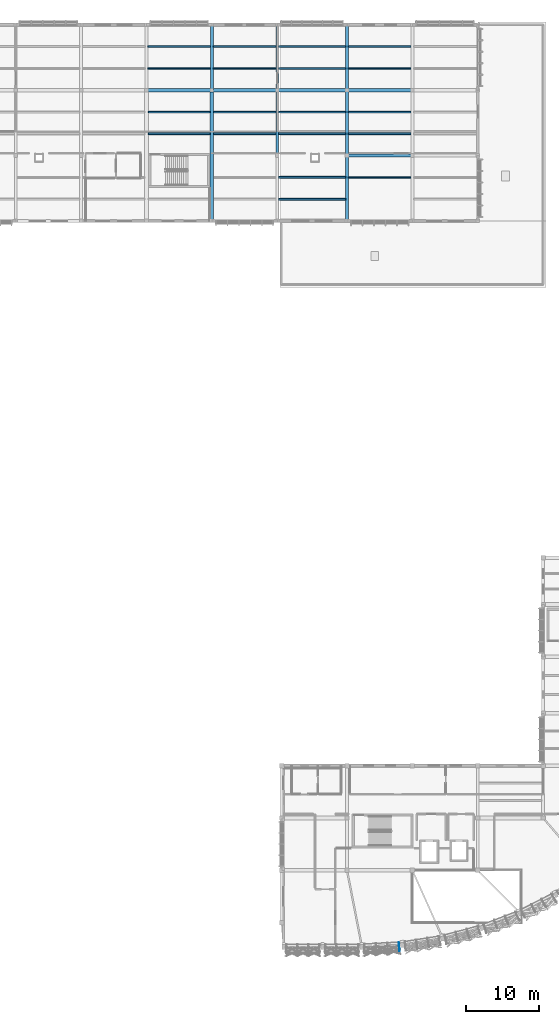
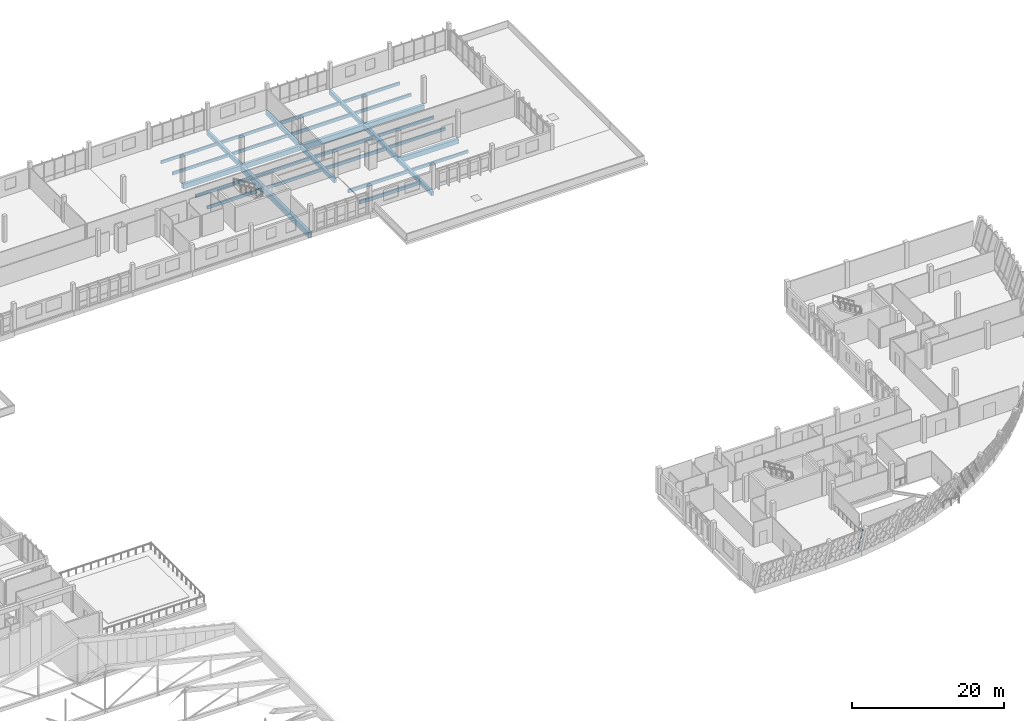
# One storey, part 46 of 107: 31 beams, 1 member, 1 element without a shape of its own.
"""IFC4 building model written with IfcOpenShell, lengths in metres."""

from ifc_helpers import new_model, si_unit, direction, frame, origin, origin_2d, place, context, subcontext, project, spatial, rectangle, hollow_rectangle, extrude, material, material_profile, profile_set, type_object, element, aggregate, save


model = new_model("IFC4")

# Units and contexts
model_context = context("Model", 3, precision=1e-05, world=origin(), true_north=direction((0.0, 1.0)))
body_context = subcontext(model_context, "Body", "Model", "MODEL_VIEW")
ifc_project = project(units=[si_unit("LENGTHUNIT", "METRE"), si_unit("AREAUNIT", "SQUARE_METRE"), si_unit("VOLUMEUNIT", "CUBIC_METRE"), si_unit("PLANEANGLEUNIT", "RADIAN"), si_unit("MASSUNIT", "GRAM", prefix="KILO")], contexts=[model_context])

# Site, building, storey
site_placement = place(None, origin())
site = spatial("IfcSite", under=ifc_project, at=site_placement, CompositionType="ELEMENT")
building_placement = place(site_placement, origin())
building = spatial("IfcBuilding", under=site, at=building_placement, Name="Chiffa Square Polytechnic", CompositionType="ELEMENT")
storey_placement = place(building_placement, frame((0.0, 0.0, 13.800048828125)))
storey = spatial("IfcBuildingStorey", under=building, at=storey_placement, Name="L03", CompositionType="ELEMENT", Elevation=13.800048828125)

# Beams
ifc_material_1 = material(Name="Concrete C35/45", Category="concrete")
ifc_material_profile_1 = material_profile(ifc_material_1, rectangle(XDim=0.39990234375, YDim=0.64990234375, at=origin_2d()), Name="RC 400x650")
ifc_profile_set_1 = profile_set([ifc_material_profile_1], Name="Concrete C35/45")
beam_type_1 = type_object("IfcBeamType", Name="BM-RC-400X650", PredefinedType="BEAM", material=ifc_profile_set_1)
for number, where, z_axis, x_axis, name in (
    (1, (102.60009765625, 121.800048828125, -0.5849609375), (0.0, 1.0, 0.0), (-1.0, 0.0, 0.0), "Primary floor girder BM-V5-L03-Y-1026-1218"),
    (2, (111.60009765625, 112.800048828125, -0.5849609375), (0.0, 1.0, 0.0), (-1.0, 0.0, 0.0), "Primary floor girder BM-V5-L03-Y-1116-1128"),
    (3, (111.60009765625, 121.800048828125, -0.5849609375), (0.0, 1.0, 0.0), (-1.0, 0.0, 0.0), "Primary floor girder BM-V5-L03-Y-1116-1218"),
    (4, (121.199951171875, 103.800048828125, -0.5849609375), (0.0, 1.0, 0.0), (-1.0, 0.0, 0.0), "Primary floor girder BM-V5-L03-Y-1212-1038"),
    (5, (121.199951171875, 112.800048828125, -0.5849609375), (0.0, 1.0, 0.0), (-1.0, 0.0, 0.0), "Primary floor girder BM-V5-L03-Y-1212-1128"),
    (6, (121.199951171875, 121.800048828125, -0.5849609375), (0.0, 1.0, 0.0), (-1.0, 0.0, 0.0), "Primary floor girder BM-V5-L03-Y-1212-1218"),
):
    element("IfcBeam", number, at=place(storey_placement, frame(where, z_axis=z_axis, x_axis=x_axis)), inside=storey, type_object=beam_type_1, Name=name, PredefinedType="BEAM", context=body_context, shape_type="SweptSolid", body=[
        extrude(rectangle(XDim=0.39990234375, YDim=0.64990234375, at=origin_2d()), origin(), (0.0, 0.0, 1.0), 9.0),
    ])
ifc_material_profile_2 = material_profile(ifc_material_1, rectangle(XDim=0.449951171875, YDim=0.75, at=origin_2d()), Name="RC 450x750")
ifc_profile_set_2 = profile_set([ifc_material_profile_2], Name="Concrete C35/45")
beam_type_2 = type_object("IfcBeamType", Name="BM-RC-450X750", PredefinedType="BEAM", material=ifc_profile_set_2)
for number, where, z_axis, x_axis, name in (
    (7, (121.199951171875, 112.800048828125, -0.635009765625), (1.0, 0.0, 0.0), (0.0, 1.0, 0.0), "Primary floor girder BM-V5-L03-X-1212-1128"),
    (8, (93.60009765625, 121.800048828125, -0.635009765625), (1.0, 0.0, 0.0), (0.0, 1.0, 0.0), "Primary floor girder BM-V5-L03-X-0936-1218"),
    (9, (102.60009765625, 121.800048828125, -0.635009765625), (1.0, 0.0, 0.0), (0.0, 1.0, 0.0), "Primary floor girder BM-V5-L03-X-1026-1218"),
    (10, (121.199951171875, 121.800048828125, -0.635009765625), (1.0, 0.0, 0.0), (0.0, 1.0, 0.0), "Primary floor girder BM-V5-L03-X-1212-1218"),
):
    element("IfcBeam", number, at=place(storey_placement, frame(where, z_axis=z_axis, x_axis=x_axis)), inside=storey, type_object=beam_type_2, Name=name, PredefinedType="BEAM", context=body_context, shape_type="SweptSolid", body=[
        extrude(rectangle(XDim=0.449951171875, YDim=0.75, at=origin_2d()), origin(), (0.0, 0.0, 1.0), 9.0),
    ])
ifc_material_2 = material(Name="Concrete C40/50", Category="concrete")
ifc_material_profile_3 = material_profile(ifc_material_2, rectangle(XDim=0.5, YDim=0.89990234375, at=origin_2d()), Name="RC 500x900")
ifc_profile_set_3 = profile_set([ifc_material_profile_3], Name="Concrete C40/50")
beam_type_3 = type_object("IfcBeamType", Name="BM-RC-500X900", PredefinedType="BEAM", material=ifc_profile_set_3)
beam_1_placement = place(storey_placement, frame((111.60009765625, 121.800048828125, -0.7099609375), z_axis=(1.0, 0.0, 0.0), x_axis=(0.0, 1.0, 0.0)))
element("IfcBeam", 11, at=beam_1_placement, inside=storey, type_object=beam_type_3, Name="Primary floor girder BM-V5-L03-X-1116-1218", PredefinedType="BEAM", context=body_context, shape_type="SweptSolid", body=[
    extrude(rectangle(XDim=0.5, YDim=0.89990234375, at=origin_2d()), origin(), (0.0, 0.0, 1.0), 9.599853515625),
])
beam_2_placement = place(storey_placement, frame((102.60009765625, 103.800048828125, -0.7099609375), z_axis=(0.0, 1.0, 0.0), x_axis=(-1.0, 0.0, 0.0)))
element("IfcBeam", 12, at=beam_2_placement, inside=storey, type_object=beam_type_3, Name="Primary floor girder BM-V5-L03-Y-1026-1038", PredefinedType="BEAM", context=body_context, shape_type="SweptSolid", body=[
    extrude(rectangle(XDim=0.5, YDim=0.89990234375, at=origin_2d()), origin(), (0.0, 0.0, 1.0), 18.0),
])

# Curtain wall, member
ifc_material_3 = material(Name="Aluminium EN AW-6060 T66 and glulam shading", Category="wood")
curtain_wall_type = type_object("IfcCurtainWallType", Name="CW-PROW-LEAN-150", PredefinedType="USERDEFINED", material=ifc_material_3)
curtain_wall_placement = place(storey_placement, origin())
curtain_wall = element("IfcCurtainWall", 13, at=curtain_wall_placement, inside=storey, type_object=curtain_wall_type, Name="Outward-leaning diamond-fin prow curtain wall CW-V1-L03-046", ObjectType="CURTAIN WALL", PredefinedType="USERDEFINED")
ifc_material_4 = material(Name="Aluminium EN AW-6060 T66", Category="aluminium")
ifc_material_profile_4 = material_profile(ifc_material_4, hollow_rectangle(XDim=0.06494140625, YDim=0.179931640625, WallThickness=0.00390625, at=origin_2d()), Name="ALU 65x180x4")
ifc_profile_set_4 = profile_set([ifc_material_profile_4], Name="Aluminium EN AW-6060 T66")
member_type = type_object("IfcMemberType", Name="CWM-ALU-75X180", PredefinedType="MULLION", material=ifc_profile_set_4)
member_placement = place(storey_placement, frame((128.3310546875, 4.430908203125, 0.0), z_axis=(0.028414651045, -0.270917977705, 0.96218296439), x_axis=(0.994544759726, 0.10431069409, 0.0)))
member = element("IfcMember", 14, at=member_placement, type_object=member_type, Name="Leaning prow mullion CW-V1-L03-046-M03", PredefinedType="MULLION", context=body_context, shape_type="SweptSolid", body=[
    extrude(hollow_rectangle(XDim=0.06494140625, YDim=0.179931640625, WallThickness=0.00390625, at=origin_2d()), origin(), (0.0, 0.0, 1.0), 4.11572265625),
])
aggregate(curtain_wall, [member])

# Beams
ifc_material_5 = material(Name="Glulam GL28h", Category="wood")
ifc_material_profile_5 = material_profile(ifc_material_5, rectangle(XDim=0.219970703125, YDim=0.47998046875, at=origin_2d()), Name="GL28h 220x480")
ifc_profile_set_5 = profile_set([ifc_material_profile_5], Name="Glulam GL28h")
beam_type_4 = type_object("IfcBeamType", Name="JST-GL-220X480", PredefinedType="JOIST", material=ifc_profile_set_5)
for number, where, z_axis, x_axis, name in (
    (15, (93.847900390625, 115.800048828125, -0.5), (1.0, 0.0, 0.0), (0.0, 1.0, 0.0), "Secondary floor joist JST-V5-L03-0936-1158"),
    (16, (93.847900390625, 118.800048828125, -0.5), (1.0, 0.0, 0.0), (0.0, 1.0, 0.0), "Secondary floor joist JST-V5-L03-0936-1188"),
):
    element("IfcBeam", number, at=place(storey_placement, frame(where, z_axis=z_axis, x_axis=x_axis)), inside=storey, type_object=beam_type_4, Name=name, PredefinedType="JOIST", context=body_context, shape_type="SweptSolid", body=[
        extrude(rectangle(XDim=0.219970703125, YDim=0.47998046875, at=origin_2d()), origin(), (0.0, 0.0, 1.0), 8.504150390625),
    ])
for number, where, z_axis, x_axis, name in (
    (17, (93.798095703125, 124.800048828125, -0.5), (1.0, 0.0, 0.0), (0.0, 1.0, 0.0), "Secondary floor joist JST-V5-L03-0936-1248"),
    (18, (93.798095703125, 127.800048828125, -0.5), (1.0, 0.0, 0.0), (0.0, 1.0, 0.0), "Secondary floor joist JST-V5-L03-0936-1278"),
):
    element("IfcBeam", number, at=place(storey_placement, frame(where, z_axis=z_axis, x_axis=x_axis)), inside=storey, type_object=beam_type_4, Name=name, PredefinedType="JOIST", context=body_context, shape_type="SweptSolid", body=[
        extrude(rectangle(XDim=0.219970703125, YDim=0.47998046875, at=origin_2d()), origin(), (0.0, 0.0, 1.0), 8.60400390625),
    ])
for number, where, z_axis, x_axis, name in (
    (19, (102.847900390625, 115.800048828125, -0.5), (1.0, 0.0, 0.0), (0.0, 1.0, 0.0), "Secondary floor joist JST-V5-L03-1026-1158"),
    (20, (102.847900390625, 118.800048828125, -0.5), (1.0, 0.0, 0.0), (0.0, 1.0, 0.0), "Secondary floor joist JST-V5-L03-1026-1188"),
):
    element("IfcBeam", number, at=place(storey_placement, frame(where, z_axis=z_axis, x_axis=x_axis)), inside=storey, type_object=beam_type_4, Name=name, PredefinedType="JOIST", context=body_context, shape_type="SweptSolid", body=[
        extrude(rectangle(XDim=0.219970703125, YDim=0.47998046875, at=origin_2d()), origin(), (0.0, 0.0, 1.0), 8.55419921875),
    ])
for number, where, z_axis, x_axis, name in (
    (21, (102.798095703125, 124.800048828125, -0.5), (1.0, 0.0, 0.0), (0.0, 1.0, 0.0), "Secondary floor joist JST-V5-L03-1026-1248"),
    (22, (102.798095703125, 127.800048828125, -0.5), (1.0, 0.0, 0.0), (0.0, 1.0, 0.0), "Secondary floor joist JST-V5-L03-1026-1278"),
    (23, (121.39794921875, 109.800048828125, -0.5), (1.0, 0.0, 0.0), (0.0, 1.0, 0.0), "Secondary floor joist JST-V5-L03-1212-1098"),
    (24, (121.39794921875, 115.800048828125, -0.5), (1.0, 0.0, 0.0), (0.0, 1.0, 0.0), "Secondary floor joist JST-V5-L03-1212-1158"),
    (25, (121.39794921875, 118.800048828125, -0.5), (1.0, 0.0, 0.0), (0.0, 1.0, 0.0), "Secondary floor joist JST-V5-L03-1212-1188"),
    (26, (121.39794921875, 124.800048828125, -0.5), (1.0, 0.0, 0.0), (0.0, 1.0, 0.0), "Secondary floor joist JST-V5-L03-1212-1248"),
    (27, (121.39794921875, 127.800048828125, -0.5), (1.0, 0.0, 0.0), (0.0, 1.0, 0.0), "Secondary floor joist JST-V5-L03-1212-1278"),
):
    element("IfcBeam", number, at=place(storey_placement, frame(where, z_axis=z_axis, x_axis=x_axis)), inside=storey, type_object=beam_type_4, Name=name, PredefinedType="JOIST", context=body_context, shape_type="SweptSolid", body=[
        extrude(rectangle(XDim=0.219970703125, YDim=0.47998046875, at=origin_2d()), origin(), (0.0, 0.0, 1.0), 8.60400390625),
    ])
ifc_material_profile_6 = material_profile(ifc_material_5, rectangle(XDim=0.239990234375, YDim=0.52001953125, at=origin_2d()), Name="GL28h 240x520")
ifc_profile_set_6 = profile_set([ifc_material_profile_6], Name="Glulam GL28h")
beam_type_5 = type_object("IfcBeamType", Name="JST-GL-240X520", PredefinedType="JOIST", material=ifc_profile_set_6)
for number, where, z_axis, x_axis, name in (
    (28, (111.798095703125, 106.800048828125, -0.52001953125), (1.0, 0.0, 0.0), (0.0, 1.0, 0.0), "Secondary floor joist JST-V5-L03-1116-1068"),
    (29, (111.798095703125, 109.800048828125, -0.52001953125), (1.0, 0.0, 0.0), (0.0, 1.0, 0.0), "Secondary floor joist JST-V5-L03-1116-1098"),
    (30, (111.798095703125, 115.800048828125, -0.52001953125), (1.0, 0.0, 0.0), (0.0, 1.0, 0.0), "Secondary floor joist JST-V5-L03-1116-1158"),
    (31, (111.798095703125, 118.800048828125, -0.52001953125), (1.0, 0.0, 0.0), (0.0, 1.0, 0.0), "Secondary floor joist JST-V5-L03-1116-1188"),
    (32, (111.798095703125, 124.800048828125, -0.52001953125), (1.0, 0.0, 0.0), (0.0, 1.0, 0.0), "Secondary floor joist JST-V5-L03-1116-1248"),
    (33, (111.798095703125, 127.800048828125, -0.52001953125), (1.0, 0.0, 0.0), (0.0, 1.0, 0.0), "Secondary floor joist JST-V5-L03-1116-1278"),
):
    element("IfcBeam", number, at=place(storey_placement, frame(where, z_axis=z_axis, x_axis=x_axis)), inside=storey, type_object=beam_type_5, Name=name, PredefinedType="JOIST", context=body_context, shape_type="SweptSolid", body=[
        extrude(rectangle(XDim=0.239990234375, YDim=0.52001953125, at=origin_2d()), origin(), (0.0, 0.0, 1.0), 9.203857421875),
    ])

save(model, "model.ifc")
